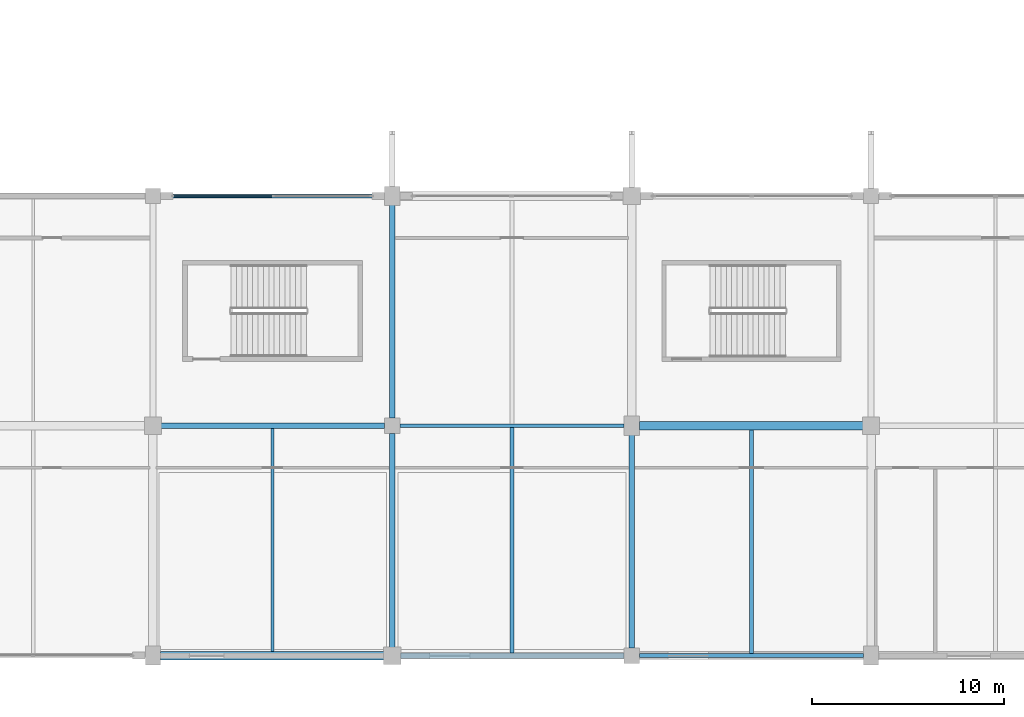
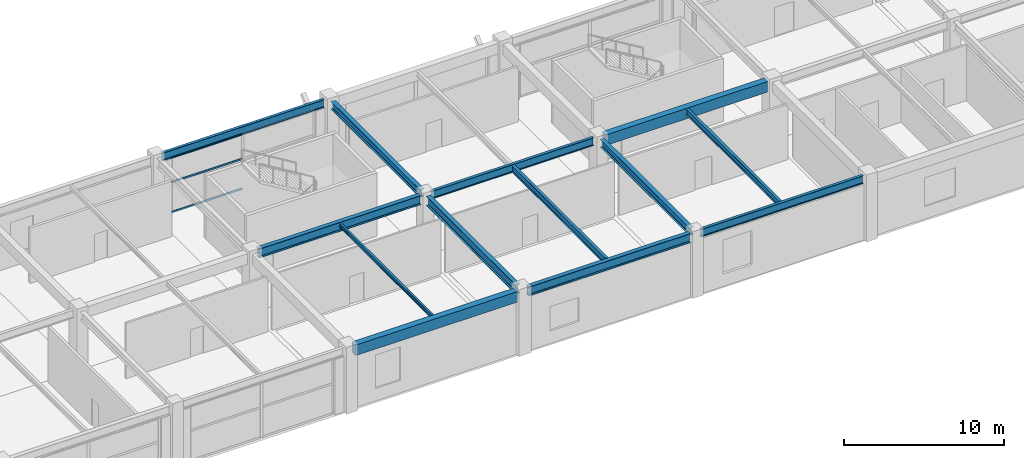
# One storey, part 18 of 116: 13 beams, 3 members, 1 element without a shape of its own.
"""IFC4 building model written with IfcOpenShell, lengths in metres."""

from ifc_helpers import new_model, si_unit, direction, frame, origin, origin_2d, place, context, subcontext, project, spatial, rectangle, i_section, extrude, material, layer, layer_set, material_profile, profile_set, type_object, element, aggregate, save


model = new_model("IFC4")

# Units and contexts
model_context = context("Model", 3, precision=1e-05, world=origin(), true_north=direction((0.0, 1.0)))
body_context = subcontext(model_context, "Body", "Model", "MODEL_VIEW")
ifc_project = project(units=[si_unit("LENGTHUNIT", "METRE"), si_unit("AREAUNIT", "SQUARE_METRE"), si_unit("VOLUMEUNIT", "CUBIC_METRE"), si_unit("PLANEANGLEUNIT", "RADIAN"), si_unit("MASSUNIT", "GRAM", prefix="KILO")], contexts=[model_context])

# Site, building, storey
site_placement = place(None, origin())
site = spatial("IfcSite", under=ifc_project, at=site_placement, CompositionType="ELEMENT")
building_placement = place(site_placement, origin())
building = spatial("IfcBuilding", under=site, at=building_placement, Name="Kazenohara Klinker Stadium", CompositionType="ELEMENT")
storey_placement = place(building_placement, frame((0.0, 0.0, 10.199951171875)))
storey = spatial("IfcBuildingStorey", under=building, at=storey_placement, Name="L02", CompositionType="ELEMENT", Elevation=10.199951171875)

# Beams
ifc_material_1 = material(Name="Steel S355", Category="steel")
ifc_material_profile_1 = material_profile(ifc_material_1, i_section(OverallWidth=0.199951171875, OverallDepth=0.5, WebThickness=0.010009765625, FlangeThickness=0.01611328125, FilletRadius=0.012939453125, at=origin_2d()), Name="H-500x200x10x16")
ifc_profile_set_1 = profile_set([ifc_material_profile_1], Name="Steel S355")
beam_type_1 = type_object("IfcBeamType", Name="BM-JST01", PredefinedType="JOIST", material=ifc_profile_set_1)
beam_1_placement = place(storey_placement, frame((80.25, 12.14990234375, 4.570068359375), z_axis=(0.0, 1.0, 0.0), x_axis=(-1.0, 0.0, 0.0)))
element("IfcBeam", 1, at=beam_1_placement, inside=storey, type_object=beam_type_1, Name="Secondary floor joist SJ01 L02 7/B", PredefinedType="JOIST", context=body_context, shape_type="SweptSolid", body=[
    extrude(i_section(OverallWidth=0.199951171875, OverallDepth=0.5, WebThickness=0.010009765625, FlangeThickness=0.01611328125, FilletRadius=0.012939453125, at=origin_2d()), origin(), (0.0, 0.0, 1.0), 11.75),
])
ifc_material_profile_2 = material_profile(ifc_material_1, i_section(OverallWidth=0.199951171875, OverallDepth=0.449951171875, WebThickness=0.009033203125, FlangeThickness=0.013916015625, FilletRadius=0.012939453125, at=origin_2d()), Name="H-450x200x9x14")
ifc_profile_set_2 = profile_set([ifc_material_profile_2], Name="Steel S355")
beam_type_2 = type_object("IfcBeamType", Name="BM-JST02", PredefinedType="JOIST", material=ifc_profile_set_2)
beam_2_placement = place(storey_placement, frame((92.75, 12.10009765625, 4.594970703125), z_axis=(0.0, 1.0, 0.0), x_axis=(-1.0, 0.0, 0.0)))
element("IfcBeam", 2, at=beam_2_placement, inside=storey, type_object=beam_type_2, Name="Secondary floor joist SJ02 L02 8/B", PredefinedType="JOIST", context=body_context, shape_type="SweptSolid", body=[
    extrude(i_section(OverallWidth=0.199951171875, OverallDepth=0.449951171875, WebThickness=0.009033203125, FlangeThickness=0.013916015625, FilletRadius=0.012939453125, at=origin_2d()), origin(), (0.0, 0.0, 1.0), 11.6748046875),
])
ifc_material_profile_3 = material_profile(ifc_material_1, i_section(OverallWidth=0.14990234375, OverallDepth=0.300048828125, WebThickness=0.006591796875, FlangeThickness=0.009033203125, FilletRadius=0.012939453125, at=origin_2d()), Name="H-300x150x6.5x9")
ifc_profile_set_3 = profile_set([ifc_material_profile_3], Name="Steel S355")
beam_type_3 = type_object("IfcBeamType", Name="BM-JST05", PredefinedType="JOIST", material=ifc_profile_set_3)
beam_3_placement = place(storey_placement, frame((67.75, 12.22509765625, 4.670166015625), z_axis=(0.0, 1.0, 0.0), x_axis=(-1.0, 0.0, 0.0)))
element("IfcBeam", 3, at=beam_3_placement, inside=storey, type_object=beam_type_3, Name="Secondary floor joist SJ05 L02 6/B", PredefinedType="JOIST", context=body_context, shape_type="SweptSolid", body=[
    extrude(i_section(OverallWidth=0.14990234375, OverallDepth=0.300048828125, WebThickness=0.006591796875, FlangeThickness=0.009033203125, FilletRadius=0.012939453125, at=origin_2d()), origin(), (0.0, 0.0, 1.0), 11.625),
])
ifc_material_2 = material(Name="Concrete C40/50", Category="concrete")
ifc_material_profile_4 = material_profile(ifc_material_2, rectangle(XDim=0.449951171875, YDim=0.800048828125, at=origin_2d()), Name="RC-BM-450x800")
ifc_profile_set_4 = profile_set([ifc_material_profile_4], Name="Concrete C40/50")
beam_type_4 = type_object("IfcBeamType", Name="BM-RC03", PredefinedType="BEAM", material=ifc_profile_set_4)
for number, where, z_axis, x_axis, name in (
    (4, (61.89990234375, 12.0, 4.420166015625), (1.0, 0.0, 0.0), (0.0, 1.0, 0.0), "Primary girder BG03 L02 6-7/B"),
    (5, (86.89990234375, 24.0, 4.420166015625), (1.0, 0.0, 0.0), (0.0, 1.0, 0.0), "Primary girder BG03 L02 8-9/C"),
):
    element("IfcBeam", number, at=place(storey_placement, frame(where, z_axis=z_axis, x_axis=x_axis)), inside=storey, type_object=beam_type_4, Name=name, PredefinedType="BEAM", context=body_context, shape_type="SweptSolid", body=[
        extrude(rectangle(XDim=0.449951171875, YDim=0.800048828125, at=origin_2d()), origin(), (0.0, 0.0, 1.0), 11.68017578125),
    ])
ifc_material_profile_5 = material_profile(ifc_material_1, i_section(OverallWidth=0.300048828125, OverallDepth=0.699951171875, WebThickness=0.012939453125, FlangeThickness=0.02392578125, FilletRadius=0.02197265625, at=origin_2d()), Name="H-700x300x13x24")
ifc_profile_set_5 = profile_set([ifc_material_profile_5], Name="Steel S355")
beam_type_5 = type_object("IfcBeamType", Name="BM-ST03", PredefinedType="BEAM", material=ifc_profile_set_5)
for number, where, z_axis, x_axis, name in (
    (6, (61.919921875, 24.0, 4.469970703125), (1.0, 0.0, 0.0), (0.0, 1.0, 0.0), "Primary girder SB03 L02 6-7/C"),
    (7, (74.419921875, 12.0, 4.469970703125), (1.0, 0.0, 0.0), (0.0, 1.0, 0.0), "Primary girder SB03 L02 7-8/B"),
):
    element("IfcBeam", number, at=place(storey_placement, frame(where, z_axis=z_axis, x_axis=x_axis)), inside=storey, type_object=beam_type_5, Name=name, PredefinedType="BEAM", context=body_context, shape_type="SweptSolid", body=[
        extrude(i_section(OverallWidth=0.300048828125, OverallDepth=0.699951171875, WebThickness=0.012939453125, FlangeThickness=0.02392578125, FilletRadius=0.02197265625, at=origin_2d()), origin(), (0.0, 0.0, 1.0), 11.68017578125),
    ])
beam_4_placement = place(storey_placement, frame((74.0, 12.419921875, 4.469970703125), z_axis=(0.0, 1.0, 0.0), x_axis=(-1.0, 0.0, 0.0)))
element("IfcBeam", 8, at=beam_4_placement, inside=storey, type_object=beam_type_5, Name="Primary girder SB03 L02 7/B-C", PredefinedType="BEAM", context=body_context, shape_type="SweptSolid", body=[
    extrude(i_section(OverallWidth=0.300048828125, OverallDepth=0.699951171875, WebThickness=0.012939453125, FlangeThickness=0.02392578125, FilletRadius=0.02197265625, at=origin_2d()), origin(), (0.0, 0.0, 1.0), 11.18017578125),
])
ifc_material_profile_6 = material_profile(ifc_material_1, i_section(OverallWidth=0.199951171875, OverallDepth=0.60009765625, WebThickness=0.010986328125, FlangeThickness=0.01708984375, FilletRadius=0.012939453125, at=origin_2d()), Name="H-600x200x11x17")
ifc_profile_set_6 = profile_set([ifc_material_profile_6], Name="Steel S355")
beam_type_6 = type_object("IfcBeamType", Name="BM-ST04", PredefinedType="BEAM", material=ifc_profile_set_6)
for number, where, z_axis, x_axis, name in (
    (9, (61.89990234375, 36.0, 4.52001953125), (1.0, 0.0, 0.0), (0.0, 1.0, 0.0), "Primary girder SB04 L02 6-7/D"),
    (10, (74.39990234375, 24.0, 4.52001953125), (1.0, 0.0, 0.0), (0.0, 1.0, 0.0), "Primary girder SB04 L02 7-8/C"),
    (11, (86.89990234375, 12.0, 4.52001953125), (1.0, 0.0, 0.0), (0.0, 1.0, 0.0), "Primary girder SB04 L02 8-9/B"),
):
    element("IfcBeam", number, at=place(storey_placement, frame(where, z_axis=z_axis, x_axis=x_axis)), inside=storey, type_object=beam_type_6, Name=name, PredefinedType="BEAM", context=body_context, shape_type="SweptSolid", body=[
        extrude(i_section(OverallWidth=0.199951171875, OverallDepth=0.60009765625, WebThickness=0.010986328125, FlangeThickness=0.01708984375, FilletRadius=0.012939453125, at=origin_2d()), origin(), (0.0, 0.0, 1.0), 11.7001953125),
    ])
ifc_material_profile_7 = material_profile(ifc_material_1, i_section(OverallWidth=0.300048828125, OverallDepth=0.587890625, WebThickness=0.011962890625, FlangeThickness=0.02001953125, FilletRadius=0.02197265625, at=origin_2d()), Name="H-588x300x12x20")
ifc_profile_set_7 = profile_set([ifc_material_profile_7], Name="Steel S355")
beam_type_7 = type_object("IfcBeamType", Name="BM-ST05", PredefinedType="BEAM", material=ifc_profile_set_7)
for number, where, z_axis, x_axis, name in (
    (12, (74.0, 24.39990234375, 4.526123046875), (0.0, 1.0, 0.0), (-1.0, 0.0, 0.0), "Primary girder SB05 L02 7/C-D"),
    (13, (86.5, 12.39990234375, 4.526123046875), (0.0, 1.0, 0.0), (-1.0, 0.0, 0.0), "Primary girder SB05 L02 8/B-C"),
):
    element("IfcBeam", number, at=place(storey_placement, frame(where, z_axis=z_axis, x_axis=x_axis)), inside=storey, type_object=beam_type_7, Name=name, PredefinedType="BEAM", context=body_context, shape_type="SweptSolid", body=[
        extrude(i_section(OverallWidth=0.300048828125, OverallDepth=0.587890625, WebThickness=0.011962890625, FlangeThickness=0.02001953125, FilletRadius=0.02197265625, at=origin_2d()), origin(), (0.0, 0.0, 1.0), 11.18017578125),
    ])

# Curtain wall, members
ifc_material_3 = material(Name="Anodised aluminium and triple glazing", Category="aluminium")
ifc_layer = layer(ifc_material_3, 0.179931640625)
ifc_layer_set = layer_set([ifc_layer], Name="Anodised aluminium and triple glazing")
curtain_wall_type = type_object("IfcCurtainWallType", Name="CW-SYS-02", PredefinedType="USERDEFINED", material=ifc_layer_set)
curtain_wall_placement = place(storey_placement, origin())
curtain_wall = element("IfcCurtainWall", 14, at=curtain_wall_placement, inside=storey, type_object=curtain_wall_type, Name="Unitised facade curtain wall CW02 L02 X5-3", ObjectType="UNITISED CURTAIN WALL", PredefinedType="USERDEFINED")
ifc_material_4 = material(Name="Anodised aluminium 6063-T6", Category="aluminium")
ifc_material_profile_8 = material_profile(ifc_material_4, rectangle(XDim=0.06494140625, YDim=0.139892578125, at=origin_2d()), Name="ALU-TRN-65x140")
ifc_profile_set_8 = profile_set([ifc_material_profile_8], Name="Anodised aluminium 6063-T6")
member_type = type_object("IfcMemberType", Name="CW-TRN-140", PredefinedType="USERDEFINED", material=ifc_profile_set_8)
member_1_placement = place(storey_placement, frame((62.618896484375, 36.0, 0.032470703125), z_axis=(1.0, 0.0, 0.0), x_axis=(0.0, 1.0, 0.0)))
member_1 = element("IfcMember", 15, at=member_1_placement, type_object=member_type, Name="CW02 transom 1.1", ObjectType="TRANSOM", PredefinedType="USERDEFINED", context=body_context, shape_type="SweptSolid", body=[
    extrude(rectangle(XDim=0.06494140625, YDim=0.139892578125, at=origin_2d()), origin(), (0.0, 0.0, 1.0), 5.0986328125),
])
member_2_placement = place(storey_placement, frame((62.618896484375, 36.0, 2.321044921875), z_axis=(1.0, 0.0, 0.0), x_axis=(0.0, 1.0, 0.0)))
member_2 = element("IfcMember", 16, at=member_2_placement, type_object=member_type, Name="CW02 transom 1.2", ObjectType="TRANSOM", PredefinedType="USERDEFINED", context=body_context, shape_type="SweptSolid", body=[
    extrude(rectangle(XDim=0.06494140625, YDim=0.139892578125, at=origin_2d()), origin(), (0.0, 0.0, 1.0), 5.0986328125),
])
member_3_placement = place(storey_placement, frame((62.618896484375, 36.0, 4.1875), z_axis=(1.0, 0.0, 0.0), x_axis=(0.0, 1.0, 0.0)))
member_3 = element("IfcMember", 17, at=member_3_placement, type_object=member_type, Name="CW02 transom 1.3", ObjectType="TRANSOM", PredefinedType="USERDEFINED", context=body_context, shape_type="SweptSolid", body=[
    extrude(rectangle(XDim=0.06494140625, YDim=0.139892578125, at=origin_2d()), origin(), (0.0, 0.0, 1.0), 5.0986328125),
])
aggregate(curtain_wall, [member_1, member_2, member_3])

save(model, "model.ifc")
